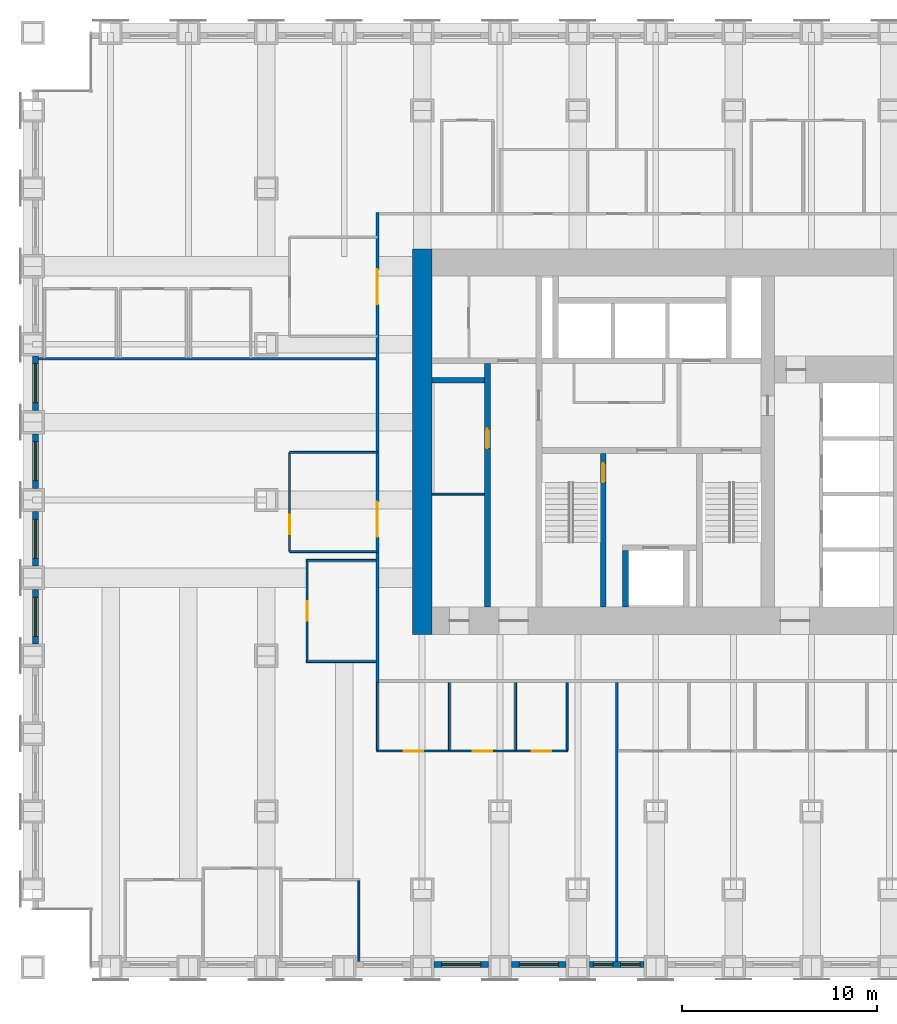
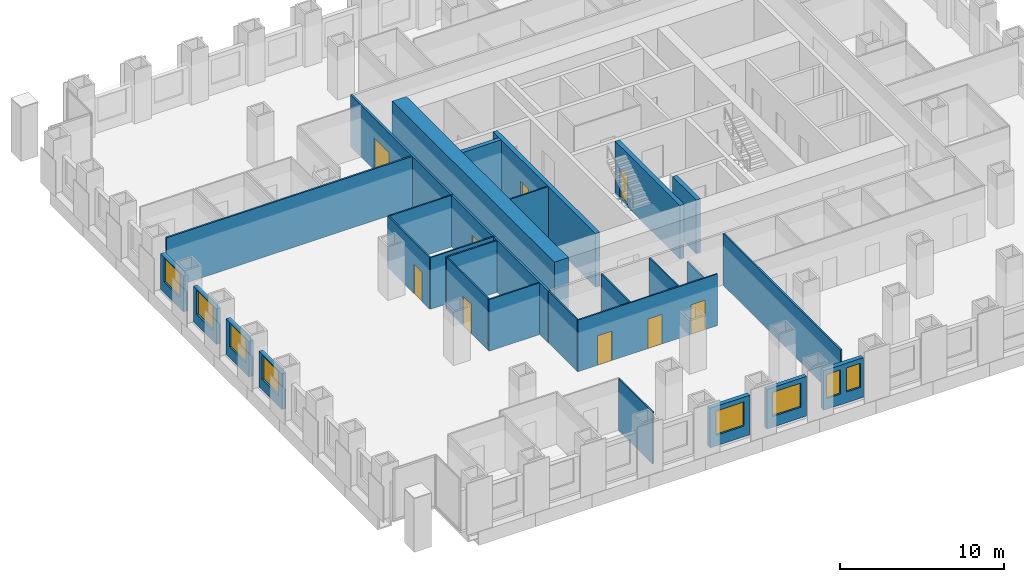
# One storey, part 8 of 15: 28 walls, 9 doors, 8 windows, 17 openings.
"""IFC4 building model written with IfcOpenShell, lengths in metres."""

from ifc_helpers import new_model, si_unit, direction, frame, frame_2d, origin, place, context, subcontext, project, spatial, rectangle, extrude, material, layer, layer_set, type_object, element, fill, save


model = new_model("IFC4")

# Units and contexts
model_context = context("Model", 3, precision=1e-05, world=origin(), true_north=direction((0.0, 1.0)))
body_context = subcontext(model_context, "Body", "Model", "MODEL_VIEW")
ifc_project = project(units=[si_unit("LENGTHUNIT", "METRE"), si_unit("AREAUNIT", "SQUARE_METRE"), si_unit("VOLUMEUNIT", "CUBIC_METRE"), si_unit("PLANEANGLEUNIT", "RADIAN"), si_unit("MASSUNIT", "GRAM", prefix="KILO")], contexts=[model_context])

# Site, building, storey
site_placement = place(None, origin())
site = spatial("IfcSite", under=ifc_project, at=site_placement, CompositionType="ELEMENT")
building_placement = place(site_placement, origin())
building = spatial("IfcBuilding", under=site, at=building_placement, Name="Rimbunsela Tower", CompositionType="ELEMENT")
storey_placement = place(building_placement, frame((0.0, 0.0, 67.0)))
storey = spatial("IfcBuildingStorey", under=building, at=storey_placement, Name="L16", CompositionType="ELEMENT", Elevation=67.0)

# Wall, opening, door
ifc_material_1 = material(Name="Concrete fc' 80 MPa", Category="concrete")
ifc_layer_1 = layer(ifc_material_1, 0.300048828125)
ifc_layer_set_1 = layer_set([ifc_layer_1], Name="Core internal wall 300")
wall_type_1 = type_object("IfcWallType", Name="Core internal wall 300", PredefinedType="SHEAR", material=ifc_layer_set_1)
wall_1_placement = place(storey_placement, frame((27.300048828125, 18.5, -0.14990234375), z_axis=(0.0, 0.0, 1.0), x_axis=(0.0, 1.0, 0.0)))
wall_1 = element("IfcWall", 1, at=wall_1_placement, inside=storey, type_object=wall_type_1, Name="Stair A enclosure", PredefinedType="SHEAR", context=body_context, shape_type="SweptSolid", body=[
    extrude(rectangle(XDim=7.89990234375, YDim=0.300048828125, at=frame_2d((3.949951171875, 0.0))), origin(), (0.0, 0.0, 1.0), 4.0),
])
opening_1_placement = place(wall_1_placement, frame((6.39990234375, 0.0, 0.14990234375)))
opening_1 = element("IfcOpeningElement", 2, at=opening_1_placement, cuts=wall_1, Name="Opening D01", PredefinedType="OPENING", context=body_context, shape_type="SweptSolid", body=[
    extrude(rectangle(XDim=1.0, YDim=2.199951171875, at=frame_2d((0.5, 1.10009765625))), frame((0.0, 0.159912109375, 0.0), z_axis=(0.0, -1.0, 0.0), x_axis=(1.0, 0.0, 0.0)), (0.0, 0.0, 1.0), 0.320068359375),
])
ifc_material_2 = material(Name="Steel door, fire rated", Category="steel")
door_type_1 = type_object("IfcDoorType", Name="Stair door 1000", OperationType="SINGLE_SWING_RIGHT", PredefinedType="DOOR", material=ifc_material_2)
door_1_placement = place(opening_1_placement, origin())
door_1 = element("IfcDoor", 3, at=door_1_placement, inside=storey, type_object=door_type_1, Name="Stair A door", OperationType="SINGLE_SWING_RIGHT", OverallHeight=2.199951171875, OverallWidth=1.0, PredefinedType="DOOR", context=body_context, shape_type="SweptSolid", body=[
    extrude(rectangle(XDim=1.0, YDim=2.199951171875, at=frame_2d((0.5, 1.10009765625))), frame((0.0, 0.02490234375, 0.0), z_axis=(0.0, -1.0, 0.0), x_axis=(1.0, 0.0, 0.0)), (0.0, 0.0, 1.0), 0.050048828125),
])
fill(opening_1, door_1)

# Wall
wall_2_placement = place(storey_placement, frame((28.449951171875, 18.5, -0.14990234375), z_axis=(0.0, 0.0, 1.0), x_axis=(0.0, 1.0, 0.0)))
element("IfcWall", 4, at=wall_2_placement, inside=storey, type_object=wall_type_1, Name="Firefighting lift shaft west", PredefinedType="SHEAR", context=body_context, shape_type="SweptSolid", body=[
    extrude(rectangle(XDim=2.89990234375, YDim=0.300048828125, at=frame_2d((1.449951171875, 0.0))), origin(), (0.0, 0.0, 1.0), 4.0),
])

# Wall, opening, door
wall_3_placement = place(storey_placement, frame((21.35009765625, 18.5, -0.14990234375), z_axis=(0.0, 0.0, 1.0), x_axis=(0.0, 1.0, 0.0)))
wall_3 = element("IfcWall", 5, at=wall_3_placement, inside=storey, type_object=wall_type_1, Name="Lift shaft front west", PredefinedType="SHEAR", context=body_context, shape_type="SweptSolid", body=[
    extrude(rectangle(XDim=12.5, YDim=0.300048828125, at=frame_2d((6.25, 0.0))), origin(), (0.0, 0.0, 1.0), 4.0),
])
opening_2_placement = place(wall_3_placement, frame((8.14990234375, 0.0, 0.14990234375)))
opening_2 = element("IfcOpeningElement", 6, at=opening_2_placement, cuts=wall_3, Name="Opening D19", PredefinedType="OPENING", context=body_context, shape_type="SweptSolid", body=[
    extrude(rectangle(XDim=1.0, YDim=2.199951171875, at=frame_2d((0.5, 1.10009765625))), frame((0.0, 0.159912109375, 0.0), z_axis=(0.0, -1.0, 0.0), x_axis=(1.0, 0.0, 0.0)), (0.0, 0.0, 1.0), 0.320068359375),
])
ifc_material_3 = material(Name="Steel door, fire rated", Category="steel")
door_type_2 = type_object("IfcDoorType", Name="Service door 1000 fire rated", OperationType="SINGLE_SWING_LEFT", PredefinedType="DOOR", material=ifc_material_3)
door_2_placement = place(opening_2_placement, origin())
door_2 = element("IfcDoor", 7, at=door_2_placement, inside=storey, type_object=door_type_2, Name="IT room door", OperationType="SINGLE_SWING_LEFT", OverallHeight=2.199951171875, OverallWidth=1.0, PredefinedType="DOOR", context=body_context, shape_type="SweptSolid", body=[
    extrude(rectangle(XDim=1.0, YDim=2.199951171875, at=frame_2d((0.5, 1.10009765625))), frame((0.0, 0.02490234375, 0.0), z_axis=(0.0, -1.0, 0.0), x_axis=(1.0, 0.0, 0.0)), (0.0, 0.0, 1.0), 0.050048828125),
])
fill(opening_2, door_2)

# Walls
wall_4_placement = place(storey_placement, frame((18.5, 30.14990234375, -0.14990234375), z_axis=(0.0, 0.0, 1.0), x_axis=(1.0, 0.0, 0.0)))
element("IfcWall", 8, at=wall_4_placement, inside=storey, type_object=wall_type_1, Name="Lift shaft rear west", PredefinedType="SHEAR", context=body_context, shape_type="SweptSolid", body=[
    extrude(rectangle(XDim=2.699951171875, YDim=0.300048828125, at=frame_2d((1.35009765625, 0.0))), origin(), (0.0, 0.0, 1.0), 4.0),
])
ifc_material_4 = material(Name="Concrete blockwork", Category="masonry")
ifc_layer_2 = layer(ifc_material_4, 0.10009765625)
ifc_layer_set_2 = layer_set([ifc_layer_2], Name="Core room partition 100")
wall_type_2 = type_object("IfcWallType", Name="Core room partition 100", PredefinedType="PARTITIONING", material=ifc_layer_set_2)
wall_5_placement = place(storey_placement, frame((18.5, 24.300048828125, 0.0), z_axis=(0.0, 0.0, 1.0), x_axis=(1.0, 0.0, 0.0)))
element("IfcWall", 9, at=wall_5_placement, inside=storey, type_object=wall_type_2, Name="IT room wall", PredefinedType="PARTITIONING", context=body_context, shape_type="SweptSolid", body=[
    extrude(rectangle(XDim=2.699951171875, YDim=0.10009765625, at=frame_2d((1.35009765625, 0.0))), origin(), (0.0, 0.0, 1.0), 3.85009765625),
])
ifc_material_5 = material(Name="Concrete fc' 80 MPa", Category="concrete")
ifc_layer_3 = layer(ifc_material_5, 1.0)
ifc_layer_set_3 = layer_set([ifc_layer_3], Name="Core wall 1000")
wall_type_3 = type_object("IfcWallType", Name="Core wall 1000", PredefinedType="SHEAR", material=ifc_layer_set_3)
wall_6_placement = place(storey_placement, frame((18.0, 17.10009765625, -0.14990234375), z_axis=(0.0, 0.0, 1.0), x_axis=(0.0, 1.0, 0.0)))
element("IfcWall", 10, at=wall_6_placement, inside=storey, type_object=wall_type_3, Name="Core wall west", PredefinedType="SHEAR", context=body_context, shape_type="SweptSolid", body=[
    extrude(rectangle(XDim=19.7998046875, YDim=1.0, at=frame_2d((9.89990234375, 0.0))), origin(), (0.0, 0.0, 1.0), 4.0),
])

# Wall, openings, doors
ifc_material_6 = material(Name="Gypsum board on steel studs", Category="steel")
ifc_layer_4 = layer(ifc_material_6, 0.10009765625)
ifc_layer_set_4 = layer_set([ifc_layer_4], Name="Office partition 100")
wall_type_4 = type_object("IfcWallType", Name="Office partition 100", PredefinedType="PARTITIONING", material=ifc_layer_set_4)
wall_7_placement = place(storey_placement, frame((15.64990234375, 11.10009765625, 0.0), z_axis=(0.0, 0.0, 1.0), x_axis=(1.0, 0.0, 0.0)))
wall_7 = element("IfcWall", 11, at=wall_7_placement, inside=storey, type_object=wall_type_4, Name="Office partition", PredefinedType="PARTITIONING", context=body_context, shape_type="SweptSolid", body=[
    extrude(rectangle(XDim=9.85009765625, YDim=0.10009765625, at=frame_2d((4.925048828125, 0.0))), origin(), (0.0, 0.0, 1.0), 3.85009765625),
])
opening_3_placement = place(wall_7_placement, frame((1.39990234375, 0.0, 0.0)))
opening_3 = element("IfcOpeningElement", 12, at=opening_3_placement, cuts=wall_7, Name="Opening D17", PredefinedType="OPENING", context=body_context, shape_type="SweptSolid", body=[
    extrude(rectangle(XDim=1.0, YDim=2.199951171875, at=frame_2d((0.5, 1.10009765625))), frame((0.0, 0.06005859375, 0.0), z_axis=(0.0, -1.0, 0.0), x_axis=(1.0, 0.0, 0.0)), (0.0, 0.0, 1.0), 0.1201171875),
])
opening_4_placement = place(wall_7_placement, frame((4.949951171875, 0.0, 0.0)))
opening_4 = element("IfcOpeningElement", 13, at=opening_4_placement, cuts=wall_7, Name="Opening D16", PredefinedType="OPENING", context=body_context, shape_type="SweptSolid", body=[
    extrude(rectangle(XDim=1.0, YDim=2.199951171875, at=frame_2d((0.5, 1.10009765625))), frame((0.0, 0.06005859375, 0.0), z_axis=(0.0, -1.0, 0.0), x_axis=(1.0, 0.0, 0.0)), (0.0, 0.0, 1.0), 0.1201171875),
])
opening_5_placement = place(wall_7_placement, frame((7.97509765625, 0.0, 0.0)))
opening_5 = element("IfcOpeningElement", 14, at=opening_5_placement, cuts=wall_7, Name="Opening D16", PredefinedType="OPENING", context=body_context, shape_type="SweptSolid", body=[
    extrude(rectangle(XDim=1.0, YDim=2.199951171875, at=frame_2d((0.5, 1.10009765625))), frame((0.0, 0.06005859375, 0.0), z_axis=(0.0, -1.0, 0.0), x_axis=(1.0, 0.0, 0.0)), (0.0, 0.0, 1.0), 0.1201171875),
])
ifc_material_7 = material(Name="Glazed aluminium door", Category="aluminium")
door_type_3 = type_object("IfcDoorType", Name="Meeting room door 1000 glazed", OperationType="SINGLE_SWING_RIGHT", PredefinedType="DOOR", material=ifc_material_7)
door_3_placement = place(opening_3_placement, origin())
door_3 = element("IfcDoor", 15, at=door_3_placement, inside=storey, type_object=door_type_3, Name="Meeting room door", OperationType="SINGLE_SWING_RIGHT", OverallHeight=2.199951171875, OverallWidth=1.0, PredefinedType="DOOR", context=body_context, shape_type="SweptSolid", body=[
    extrude(rectangle(XDim=1.0, YDim=2.199951171875, at=frame_2d((0.5, 1.10009765625))), frame((0.0, 0.02490234375, 0.0), z_axis=(0.0, -1.0, 0.0), x_axis=(1.0, 0.0, 0.0)), (0.0, 0.0, 1.0), 0.050048828125),
])
fill(opening_3, door_3)
ifc_material_8 = material(Name="Timber door", Category="wood")
door_type_4 = type_object("IfcDoorType", Name="Office door 1000", OperationType="SINGLE_SWING_LEFT", PredefinedType="DOOR", material=ifc_material_8)
door_4_placement = place(opening_4_placement, origin())
door_4 = element("IfcDoor", 16, at=door_4_placement, inside=storey, type_object=door_type_4, Name="Office door", OperationType="SINGLE_SWING_LEFT", OverallHeight=2.199951171875, OverallWidth=1.0, PredefinedType="DOOR", context=body_context, shape_type="SweptSolid", body=[
    extrude(rectangle(XDim=1.0, YDim=2.199951171875, at=frame_2d((0.5, 1.10009765625))), frame((0.0, 0.02490234375, 0.0), z_axis=(0.0, -1.0, 0.0), x_axis=(1.0, 0.0, 0.0)), (0.0, 0.0, 1.0), 0.050048828125),
])
fill(opening_4, door_4)
door_5_placement = place(opening_5_placement, origin())
door_5 = element("IfcDoor", 17, at=door_5_placement, inside=storey, type_object=door_type_4, Name="Office door", OperationType="SINGLE_SWING_LEFT", OverallHeight=2.199951171875, OverallWidth=1.0, PredefinedType="DOOR", context=body_context, shape_type="SweptSolid", body=[
    extrude(rectangle(XDim=1.0, YDim=2.199951171875, at=frame_2d((0.5, 1.10009765625))), frame((0.0, 0.02490234375, 0.0), z_axis=(0.0, -1.0, 0.0), x_axis=(1.0, 0.0, 0.0)), (0.0, 0.0, 1.0), 0.050048828125),
])
fill(opening_5, door_5)

# Walls
for number, where, z_axis, x_axis, name in (
    (18, (12.050048828125, 15.699951171875, 0.0), (0.0, 0.0, 1.0), (1.0, 0.0, 0.0), "Office partition"),
    (19, (12.050048828125, 20.89990234375, 0.0), (0.0, 0.0, 1.0), (1.0, 0.0, 0.0), "Office partition"),
):
    element("IfcWall", number, at=place(storey_placement, frame(where, z_axis=z_axis, x_axis=x_axis)), inside=storey, type_object=wall_type_4, Name=name, PredefinedType="PARTITIONING", context=body_context, shape_type="SweptSolid", body=[
        extrude(rectangle(XDim=3.574951171875, YDim=0.10009765625, at=frame_2d((1.78759765625, 0.0))), origin(), (0.0, 0.0, 1.0), 3.85009765625),
    ])

# Wall, opening, door
wall_8_placement = place(storey_placement, frame((12.10009765625, 15.75, 0.0), z_axis=(0.0, 0.0, 1.0), x_axis=(0.0, 1.0, 0.0)))
wall_8 = element("IfcWall", 20, at=wall_8_placement, inside=storey, type_object=wall_type_4, Name="Office partition", PredefinedType="PARTITIONING", context=body_context, shape_type="SweptSolid", body=[
    extrude(rectangle(XDim=5.10009765625, YDim=0.10009765625, at=frame_2d((2.550048828125, 0.0))), origin(), (0.0, 0.0, 1.0), 3.85009765625),
])
opening_6_placement = place(wall_8_placement, frame((2.050048828125, 0.0, 0.0)))
opening_6 = element("IfcOpeningElement", 21, at=opening_6_placement, cuts=wall_8, Name="Opening D16", PredefinedType="OPENING", context=body_context, shape_type="SweptSolid", body=[
    extrude(rectangle(XDim=1.0, YDim=2.199951171875, at=frame_2d((0.5, 1.10009765625))), frame((0.0, 0.06005859375, 0.0), z_axis=(0.0, -1.0, 0.0), x_axis=(1.0, 0.0, 0.0)), (0.0, 0.0, 1.0), 0.1201171875),
])
door_6_placement = place(opening_6_placement, origin())
door_6 = element("IfcDoor", 22, at=door_6_placement, inside=storey, type_object=door_type_4, Name="Office door", OperationType="SINGLE_SWING_LEFT", OverallHeight=2.199951171875, OverallWidth=1.0, PredefinedType="DOOR", context=body_context, shape_type="SweptSolid", body=[
    extrude(rectangle(XDim=1.0, YDim=2.199951171875, at=frame_2d((0.5, 1.10009765625))), frame((0.0, 0.02490234375, 0.0), z_axis=(0.0, -1.0, 0.0), x_axis=(1.0, 0.0, 0.0)), (0.0, 0.0, 1.0), 0.050048828125),
])
fill(opening_6, door_6)

# Walls
wall_9_placement = place(storey_placement, frame((14.75, 0.300048828125, 0.0), z_axis=(0.0, 0.0, 1.0), x_axis=(0.0, 1.0, 0.0)))
element("IfcWall", 23, at=wall_9_placement, inside=storey, type_object=wall_type_4, Name="Office partition", PredefinedType="PARTITIONING", context=body_context, shape_type="SweptSolid", body=[
    extrude(rectangle(XDim=4.14990234375, YDim=0.10009765625, at=frame_2d((2.074951171875, 0.0))), origin(), (0.0, 0.0, 1.0), 3.85009765625),
])
for number, where, z_axis, x_axis, name in (
    (24, (15.699951171875, 11.14990234375, 0.0), (0.0, 0.0, 1.0), (0.0, 1.0, 0.0), "Office partition"),
    (25, (19.39990234375, 11.14990234375, 0.0), (0.0, 0.0, 1.0), (0.0, 1.0, 0.0), "Office partition"),
    (26, (22.800048828125, 11.14990234375, 0.0), (0.0, 0.0, 1.0), (0.0, 1.0, 0.0), "Office partition"),
):
    element("IfcWall", number, at=place(storey_placement, frame(where, z_axis=z_axis, x_axis=x_axis)), inside=storey, type_object=wall_type_4, Name=name, PredefinedType="PARTITIONING", context=body_context, shape_type="SweptSolid", body=[
        extrude(rectangle(XDim=3.47509765625, YDim=0.10009765625, at=frame_2d((1.737548828125, 0.0))), origin(), (0.0, 0.0, 1.0), 3.85009765625),
    ])
wall_10_placement = place(storey_placement, frame((25.449951171875, 11.14990234375, 0.0), z_axis=(0.0, 0.0, 1.0), x_axis=(0.0, 1.0, 0.0)))
element("IfcWall", 27, at=wall_10_placement, inside=storey, type_object=wall_type_4, Name="Office partition", PredefinedType="PARTITIONING", context=body_context, shape_type="SweptSolid", body=[
    extrude(rectangle(XDim=3.47509765625, YDim=0.10009765625, at=frame_2d((1.737548828125, 0.0))), origin(), (0.0, 0.0, 1.0), 2.64990234375),
])
wall_11_placement = place(storey_placement, frame((15.699951171875, 26.449951171875, 0.0), z_axis=(0.0, 0.0, 1.0), x_axis=(-1.0, 0.0, 0.0)))
element("IfcWall", 28, at=wall_11_placement, inside=storey, type_object=wall_type_4, Name="Office partition", PredefinedType="PARTITIONING", context=body_context, shape_type="SweptSolid", body=[
    extrude(rectangle(XDim=4.5, YDim=0.10009765625, at=frame_2d((2.25, 0.0))), origin(), (0.0, 0.0, 1.0), 3.85009765625),
])

# Wall, opening, door
wall_12_placement = place(storey_placement, frame((11.199951171875, 26.449951171875, 0.0), z_axis=(0.0, 0.0, 1.0), x_axis=(0.0, -1.0, 0.0)))
wall_12 = element("IfcWall", 29, at=wall_12_placement, inside=storey, type_object=wall_type_4, Name="Office partition", PredefinedType="PARTITIONING", context=body_context, shape_type="SweptSolid", body=[
    extrude(rectangle(XDim=5.099853515625, YDim=0.10009765625, at=frame_2d((2.5498046875, 0.0))), origin(), (0.0, 0.0, 1.0), 3.85009765625),
])
opening_7_placement = place(wall_12_placement, frame((3.199951171875, 0.0, 0.0)))
opening_7 = element("IfcOpeningElement", 30, at=opening_7_placement, cuts=wall_12, Name="Opening D17", PredefinedType="OPENING", context=body_context, shape_type="SweptSolid", body=[
    extrude(rectangle(XDim=1.0, YDim=2.199951171875, at=frame_2d((0.5, 1.10009765625))), frame((0.0, 0.06005859375, 0.0), z_axis=(0.0, -1.0, 0.0), x_axis=(1.0, 0.0, 0.0)), (0.0, 0.0, 1.0), 0.1201171875),
])
door_7_placement = place(opening_7_placement, origin())
door_7 = element("IfcDoor", 31, at=door_7_placement, inside=storey, type_object=door_type_3, Name="Reception door", OperationType="SINGLE_SWING_RIGHT", OverallHeight=2.199951171875, OverallWidth=1.0, PredefinedType="DOOR", context=body_context, shape_type="SweptSolid", body=[
    extrude(rectangle(XDim=1.0, YDim=2.199951171875, at=frame_2d((0.5, 1.10009765625))), frame((0.0, 0.02490234375, 0.0), z_axis=(0.0, -1.0, 0.0), x_axis=(1.0, 0.0, 0.0)), (0.0, 0.0, 1.0), 0.050048828125),
])
fill(opening_7, door_7)

# Wall
wall_13_placement = place(storey_placement, frame((11.199951171875, 21.35009765625, 0.0), z_axis=(0.0, 0.0, 1.0), x_axis=(1.0, 0.0, 0.0)))
element("IfcWall", 32, at=wall_13_placement, inside=storey, type_object=wall_type_4, Name="Office partition", PredefinedType="PARTITIONING", context=body_context, shape_type="SweptSolid", body=[
    extrude(rectangle(XDim=4.5, YDim=0.10009765625, at=frame_2d((2.25, 0.0))), origin(), (0.0, 0.0, 1.0), 3.85009765625),
])

# Wall, opening, window
ifc_material_9 = material(Name="Precast concrete fc' 35 MPa", Category="concrete")
ifc_layer_5 = layer(ifc_material_9, 0.300048828125)
ifc_layer_set_5 = layer_set([ifc_layer_5], Name="Precast concrete fc' 35 MPa")
wall_type_5 = type_object("IfcWallType", Name="Precast facade panel 300", PredefinedType="ELEMENTEDWALL", material=ifc_layer_set_5)
wall_14_placement = place(storey_placement, frame((18.60009765625, 0.14990234375, 0.0), z_axis=(0.0, 0.0, 1.0), x_axis=(1.0, 0.0, 0.0)))
wall_14 = element("IfcWall", 33, at=wall_14_placement, inside=storey, type_object=wall_type_5, Name="Facade panel S L16", PredefinedType="ELEMENTEDWALL", context=body_context, shape_type="SweptSolid", body=[
    extrude(rectangle(XDim=2.7998046875, YDim=0.300048828125, at=frame_2d((1.39990234375, 0.0))), origin(), (0.0, 0.0, 1.0), 2.949951171875),
])
opening_8_placement = place(wall_14_placement, frame((0.39990234375, 0.0, 0.800048828125)))
opening_8 = element("IfcOpeningElement", 34, at=opening_8_placement, cuts=wall_14, Name="Opening W7", PredefinedType="OPENING", context=body_context, shape_type="SweptSolid", body=[
    extrude(rectangle(XDim=2.0, YDim=1.800048828125, at=frame_2d((1.0, 0.89990234375))), frame((0.0, 0.159912109375, 0.0), z_axis=(0.0, -1.0, 0.0), x_axis=(1.0, 0.0, 0.0)), (0.0, 0.0, 1.0), 0.320068359375),
])
ifc_material_10 = material(Name="Clear glass in aluminium frame", Category="aluminium")
window_type_1 = type_object("IfcWindowType", Name="Window W7 2000x1800", PartitioningType="DOUBLE_PANEL_VERTICAL", PredefinedType="WINDOW", material=ifc_material_10)
window_1_placement = place(opening_8_placement, origin())
window_1 = element("IfcWindow", 35, at=window_1_placement, inside=storey, type_object=window_type_1, Name="Window L16", OverallHeight=1.800048828125, OverallWidth=2.0, PartitioningType="SINGLE_PANEL", PredefinedType="WINDOW", context=body_context, shape_type="SweptSolid", body=[
    extrude(rectangle(XDim=2.0, YDim=1.800048828125, at=frame_2d((1.0, 0.89990234375))), frame((0.0, 0.030029296875, 0.0), z_axis=(0.0, -1.0, 0.0), x_axis=(1.0, 0.0, 0.0)), (0.0, 0.0, 1.0), 0.06005859375),
])
fill(opening_8, window_1)

wall_15_placement = place(storey_placement, frame((22.60009765625, 0.14990234375, 0.0), z_axis=(0.0, 0.0, 1.0), x_axis=(1.0, 0.0, 0.0)))
wall_15 = element("IfcWall", 36, at=wall_15_placement, inside=storey, type_object=wall_type_5, Name="Facade panel S L16", PredefinedType="ELEMENTEDWALL", context=body_context, shape_type="SweptSolid", body=[
    extrude(rectangle(XDim=2.7998046875, YDim=0.300048828125, at=frame_2d((1.39990234375, 0.0))), origin(), (0.0, 0.0, 1.0), 2.949951171875),
])
opening_9_placement = place(wall_15_placement, frame((0.39990234375, 0.0, 0.800048828125)))
opening_9 = element("IfcOpeningElement", 37, at=opening_9_placement, cuts=wall_15, Name="Opening W7", PredefinedType="OPENING", context=body_context, shape_type="SweptSolid", body=[
    extrude(rectangle(XDim=2.0, YDim=1.800048828125, at=frame_2d((1.0, 0.89990234375))), frame((0.0, 0.159912109375, 0.0), z_axis=(0.0, -1.0, 0.0), x_axis=(1.0, 0.0, 0.0)), (0.0, 0.0, 1.0), 0.320068359375),
])
window_2_placement = place(opening_9_placement, origin())
window_2 = element("IfcWindow", 38, at=window_2_placement, inside=storey, type_object=window_type_1, Name="Window L16", OverallHeight=1.800048828125, OverallWidth=2.0, PartitioningType="SINGLE_PANEL", PredefinedType="WINDOW", context=body_context, shape_type="SweptSolid", body=[
    extrude(rectangle(XDim=2.0, YDim=1.800048828125, at=frame_2d((1.0, 0.89990234375))), frame((0.0, 0.030029296875, 0.0), z_axis=(0.0, -1.0, 0.0), x_axis=(1.0, 0.0, 0.0)), (0.0, 0.0, 1.0), 0.06005859375),
])
fill(opening_9, window_2)

# Wall, openings, windows
wall_16_placement = place(storey_placement, frame((26.60009765625, 0.14990234375, 0.0), z_axis=(0.0, 0.0, 1.0), x_axis=(1.0, 0.0, 0.0)))
wall_16 = element("IfcWall", 39, at=wall_16_placement, inside=storey, type_object=wall_type_5, Name="Facade panel S L16", PredefinedType="ELEMENTEDWALL", context=body_context, shape_type="SweptSolid", body=[
    extrude(rectangle(XDim=2.7998046875, YDim=0.300048828125, at=frame_2d((1.39990234375, 0.0))), origin(), (0.0, 0.0, 1.0), 2.949951171875),
])
opening_10_placement = place(wall_16_placement, frame((0.199951171875, 0.0, 0.800048828125)))
opening_10 = element("IfcOpeningElement", 40, at=opening_10_placement, cuts=wall_16, Name="Opening W8", PredefinedType="OPENING", context=body_context, shape_type="SweptSolid", body=[
    extrude(rectangle(XDim=1.0, YDim=1.800048828125, at=frame_2d((0.5, 0.89990234375))), frame((0.0, 0.159912109375, 0.0), z_axis=(0.0, -1.0, 0.0), x_axis=(1.0, 0.0, 0.0)), (0.0, 0.0, 1.0), 0.320068359375),
])
opening_11_placement = place(wall_16_placement, frame((1.60009765625, 0.0, 0.800048828125)))
opening_11 = element("IfcOpeningElement", 41, at=opening_11_placement, cuts=wall_16, Name="Opening W8", PredefinedType="OPENING", context=body_context, shape_type="SweptSolid", body=[
    extrude(rectangle(XDim=1.0, YDim=1.800048828125, at=frame_2d((0.5, 0.89990234375))), frame((0.0, 0.159912109375, 0.0), z_axis=(0.0, -1.0, 0.0), x_axis=(1.0, 0.0, 0.0)), (0.0, 0.0, 1.0), 0.320068359375),
])
ifc_material_11 = material(Name="Clear glass in aluminium frame", Category="aluminium")
window_type_2 = type_object("IfcWindowType", Name="Window W8 1000x1800", PartitioningType="SINGLE_PANEL", PredefinedType="WINDOW", material=ifc_material_11)
window_3_placement = place(opening_10_placement, origin())
window_3 = element("IfcWindow", 42, at=window_3_placement, inside=storey, type_object=window_type_2, Name="Window L16", OverallHeight=1.800048828125, OverallWidth=1.0, PartitioningType="SINGLE_PANEL", PredefinedType="WINDOW", context=body_context, shape_type="SweptSolid", body=[
    extrude(rectangle(XDim=1.0, YDim=1.800048828125, at=frame_2d((0.5, 0.89990234375))), frame((0.0, 0.030029296875, 0.0), z_axis=(0.0, -1.0, 0.0), x_axis=(1.0, 0.0, 0.0)), (0.0, 0.0, 1.0), 0.06005859375),
])
fill(opening_10, window_3)
window_4_placement = place(opening_11_placement, origin())
window_4 = element("IfcWindow", 43, at=window_4_placement, inside=storey, type_object=window_type_2, Name="Window L16", OverallHeight=1.800048828125, OverallWidth=1.0, PartitioningType="SINGLE_PANEL", PredefinedType="WINDOW", context=body_context, shape_type="SweptSolid", body=[
    extrude(rectangle(XDim=1.0, YDim=1.800048828125, at=frame_2d((0.5, 0.89990234375))), frame((0.0, 0.030029296875, 0.0), z_axis=(0.0, -1.0, 0.0), x_axis=(1.0, 0.0, 0.0)), (0.0, 0.0, 1.0), 0.06005859375),
])
fill(opening_11, window_4)

# Wall, opening, window
wall_17_placement = place(storey_placement, frame((-1.85009765625, 19.39990234375, 0.0), z_axis=(0.0, 0.0, 1.0), x_axis=(0.0, -1.0, 0.0)))
wall_17 = element("IfcWall", 44, at=wall_17_placement, inside=storey, type_object=wall_type_5, Name="Facade panel W L16", PredefinedType="ELEMENTEDWALL", context=body_context, shape_type="SweptSolid", body=[
    extrude(rectangle(XDim=2.7998046875, YDim=0.300048828125, at=frame_2d((1.39990234375, 0.0))), origin(), (0.0, 0.0, 1.0), 2.64990234375),
])
opening_12_placement = place(wall_17_placement, frame((0.39990234375, 0.0, 0.800048828125)))
opening_12 = element("IfcOpeningElement", 45, at=opening_12_placement, cuts=wall_17, Name="Opening W7", PredefinedType="OPENING", context=body_context, shape_type="SweptSolid", body=[
    extrude(rectangle(XDim=2.0, YDim=1.800048828125, at=frame_2d((1.0, 0.89990234375))), frame((0.0, 0.159912109375, 0.0), z_axis=(0.0, -1.0, 0.0), x_axis=(1.0, 0.0, 0.0)), (0.0, 0.0, 1.0), 0.320068359375),
])
window_5_placement = place(opening_12_placement, origin())
window_5 = element("IfcWindow", 46, at=window_5_placement, inside=storey, type_object=window_type_1, Name="Window L16", OverallHeight=1.800048828125, OverallWidth=2.0, PartitioningType="SINGLE_PANEL", PredefinedType="WINDOW", context=body_context, shape_type="SweptSolid", body=[
    extrude(rectangle(XDim=2.0, YDim=1.800048828125, at=frame_2d((1.0, 0.89990234375))), frame((0.0, 0.030029296875, 0.0), z_axis=(0.0, -1.0, 0.0), x_axis=(1.0, 0.0, 0.0)), (0.0, 0.0, 1.0), 0.06005859375),
])
fill(opening_12, window_5)

wall_18_placement = place(storey_placement, frame((-1.85009765625, 23.39990234375, 0.0), z_axis=(0.0, 0.0, 1.0), x_axis=(0.0, -1.0, 0.0)))
wall_18 = element("IfcWall", 47, at=wall_18_placement, inside=storey, type_object=wall_type_5, Name="Facade panel W L16", PredefinedType="ELEMENTEDWALL", context=body_context, shape_type="SweptSolid", body=[
    extrude(rectangle(XDim=2.7998046875, YDim=0.300048828125, at=frame_2d((1.39990234375, 0.0))), origin(), (0.0, 0.0, 1.0), 2.64990234375),
])
opening_13_placement = place(wall_18_placement, frame((0.39990234375, 0.0, 0.800048828125)))
opening_13 = element("IfcOpeningElement", 48, at=opening_13_placement, cuts=wall_18, Name="Opening W7", PredefinedType="OPENING", context=body_context, shape_type="SweptSolid", body=[
    extrude(rectangle(XDim=2.0, YDim=1.800048828125, at=frame_2d((1.0, 0.89990234375))), frame((0.0, 0.159912109375, 0.0), z_axis=(0.0, -1.0, 0.0), x_axis=(1.0, 0.0, 0.0)), (0.0, 0.0, 1.0), 0.320068359375),
])
window_6_placement = place(opening_13_placement, origin())
window_6 = element("IfcWindow", 49, at=window_6_placement, inside=storey, type_object=window_type_1, Name="Window L16", OverallHeight=1.800048828125, OverallWidth=2.0, PartitioningType="SINGLE_PANEL", PredefinedType="WINDOW", context=body_context, shape_type="SweptSolid", body=[
    extrude(rectangle(XDim=2.0, YDim=1.800048828125, at=frame_2d((1.0, 0.89990234375))), frame((0.0, 0.030029296875, 0.0), z_axis=(0.0, -1.0, 0.0), x_axis=(1.0, 0.0, 0.0)), (0.0, 0.0, 1.0), 0.06005859375),
])
fill(opening_13, window_6)

wall_19_placement = place(storey_placement, frame((-1.85009765625, 27.39990234375, 0.0), z_axis=(0.0, 0.0, 1.0), x_axis=(0.0, -1.0, 0.0)))
wall_19 = element("IfcWall", 50, at=wall_19_placement, inside=storey, type_object=wall_type_5, Name="Facade panel W L16", PredefinedType="ELEMENTEDWALL", context=body_context, shape_type="SweptSolid", body=[
    extrude(rectangle(XDim=2.7998046875, YDim=0.300048828125, at=frame_2d((1.39990234375, 0.0))), origin(), (0.0, 0.0, 1.0), 2.64990234375),
])
opening_14_placement = place(wall_19_placement, frame((0.39990234375, 0.0, 0.800048828125)))
opening_14 = element("IfcOpeningElement", 51, at=opening_14_placement, cuts=wall_19, Name="Opening W7", PredefinedType="OPENING", context=body_context, shape_type="SweptSolid", body=[
    extrude(rectangle(XDim=2.0, YDim=1.800048828125, at=frame_2d((1.0, 0.89990234375))), frame((0.0, 0.159912109375, 0.0), z_axis=(0.0, -1.0, 0.0), x_axis=(1.0, 0.0, 0.0)), (0.0, 0.0, 1.0), 0.320068359375),
])
window_7_placement = place(opening_14_placement, origin())
window_7 = element("IfcWindow", 52, at=window_7_placement, inside=storey, type_object=window_type_1, Name="Window L16", OverallHeight=1.800048828125, OverallWidth=2.0, PartitioningType="SINGLE_PANEL", PredefinedType="WINDOW", context=body_context, shape_type="SweptSolid", body=[
    extrude(rectangle(XDim=2.0, YDim=1.800048828125, at=frame_2d((1.0, 0.89990234375))), frame((0.0, 0.030029296875, 0.0), z_axis=(0.0, -1.0, 0.0), x_axis=(1.0, 0.0, 0.0)), (0.0, 0.0, 1.0), 0.06005859375),
])
fill(opening_14, window_7)

wall_20_placement = place(storey_placement, frame((-1.85009765625, 31.39990234375, 0.0), z_axis=(0.0, 0.0, 1.0), x_axis=(0.0, -1.0, 0.0)))
wall_20 = element("IfcWall", 53, at=wall_20_placement, inside=storey, type_object=wall_type_5, Name="Facade panel W L16", PredefinedType="ELEMENTEDWALL", context=body_context, shape_type="SweptSolid", body=[
    extrude(rectangle(XDim=2.7998046875, YDim=0.300048828125, at=frame_2d((1.39990234375, 0.0))), origin(), (0.0, 0.0, 1.0), 2.64990234375),
])
opening_15_placement = place(wall_20_placement, frame((0.39990234375, 0.0, 0.800048828125)))
opening_15 = element("IfcOpeningElement", 54, at=opening_15_placement, cuts=wall_20, Name="Opening W7", PredefinedType="OPENING", context=body_context, shape_type="SweptSolid", body=[
    extrude(rectangle(XDim=2.0, YDim=1.800048828125, at=frame_2d((1.0, 0.89990234375))), frame((0.0, 0.159912109375, 0.0), z_axis=(0.0, -1.0, 0.0), x_axis=(1.0, 0.0, 0.0)), (0.0, 0.0, 1.0), 0.320068359375),
])
window_8_placement = place(opening_15_placement, origin())
window_8 = element("IfcWindow", 55, at=window_8_placement, inside=storey, type_object=window_type_1, Name="Window L16", OverallHeight=1.800048828125, OverallWidth=2.0, PartitioningType="SINGLE_PANEL", PredefinedType="WINDOW", context=body_context, shape_type="SweptSolid", body=[
    extrude(rectangle(XDim=2.0, YDim=1.800048828125, at=frame_2d((1.0, 0.89990234375))), frame((0.0, 0.030029296875, 0.0), z_axis=(0.0, -1.0, 0.0), x_axis=(1.0, 0.0, 0.0)), (0.0, 0.0, 1.0), 0.06005859375),
])
fill(opening_15, window_8)

# Wall, openings, doors
ifc_material_12 = material(Name="Fire-rated gypsum board on steel studs, EI 60", Category="steel")
ifc_layer_6 = layer(ifc_material_12, 0.14990234375)
ifc_layer_set_6 = layer_set([ifc_layer_6], Name="Rated corridor wall 150")
wall_type_6 = type_object("IfcWallType", Name="Rated corridor wall 150", PredefinedType="PARTITIONING", material=ifc_layer_set_6)
wall_21_placement = place(storey_placement, frame((15.699951171875, 14.625, 0.0), z_axis=(0.0, 0.0, 1.0), x_axis=(0.0, 1.0, 0.0)))
wall_21 = element("IfcWall", 56, at=wall_21_placement, inside=storey, type_object=wall_type_6, Name="Corridor wall west", PredefinedType="PARTITIONING", context=body_context, shape_type="SweptSolid", body=[
    extrude(rectangle(XDim=24.14990234375, YDim=0.14990234375, at=frame_2d((12.074951171875, 0.0))), origin(), (0.0, 0.0, 1.0), 3.85009765625),
])
opening_16_placement = place(wall_21_placement, frame((7.47509765625, 0.0, 0.0)))
opening_16 = element("IfcOpeningElement", 57, at=opening_16_placement, cuts=wall_21, Name="Opening D09", PredefinedType="OPENING", context=body_context, shape_type="SweptSolid", body=[
    extrude(rectangle(XDim=1.800048828125, YDim=2.39990234375, at=frame_2d((0.89990234375, 1.199951171875))), frame((0.0, 0.0849609375, 0.0), z_axis=(0.0, -1.0, 0.0), x_axis=(1.0, 0.0, 0.0)), (0.0, 0.0, 1.0), 0.169921875),
])
opening_17_placement = place(wall_21_placement, frame((19.425048828125, 0.0, 0.0)))
opening_17 = element("IfcOpeningElement", 58, at=opening_17_placement, cuts=wall_21, Name="Opening D09", PredefinedType="OPENING", context=body_context, shape_type="SweptSolid", body=[
    extrude(rectangle(XDim=1.800048828125, YDim=2.39990234375, at=frame_2d((0.89990234375, 1.199951171875))), frame((0.0, 0.0849609375, 0.0), z_axis=(0.0, -1.0, 0.0), x_axis=(1.0, 0.0, 0.0)), (0.0, 0.0, 1.0), 0.169921875),
])
ifc_material_13 = material(Name="Glazed aluminium door, fire rated", Category="aluminium")
door_type_5 = type_object("IfcDoorType", Name="Tenancy door 1800 glazed", OperationType="DOUBLE_DOOR_DOUBLE_SWING", PredefinedType="DOOR", material=ifc_material_13)
door_8_placement = place(opening_16_placement, origin())
door_8 = element("IfcDoor", 59, at=door_8_placement, inside=storey, type_object=door_type_5, Name="Tenancy door", OperationType="DOUBLE_DOOR_DOUBLE_SWING", OverallHeight=2.39990234375, OverallWidth=1.800048828125, PredefinedType="DOOR", context=body_context, shape_type="SweptSolid", body=[
    extrude(rectangle(XDim=1.800048828125, YDim=2.39990234375, at=frame_2d((0.89990234375, 1.199951171875))), frame((0.0, 0.02490234375, 0.0), z_axis=(0.0, -1.0, 0.0), x_axis=(1.0, 0.0, 0.0)), (0.0, 0.0, 1.0), 0.050048828125),
])
fill(opening_16, door_8)
door_9_placement = place(opening_17_placement, origin())
door_9 = element("IfcDoor", 60, at=door_9_placement, inside=storey, type_object=door_type_5, Name="Tenancy door", OperationType="DOUBLE_DOOR_DOUBLE_SWING", OverallHeight=2.39990234375, OverallWidth=1.800048828125, PredefinedType="DOOR", context=body_context, shape_type="SweptSolid", body=[
    extrude(rectangle(XDim=1.800048828125, YDim=2.39990234375, at=frame_2d((0.89990234375, 1.199951171875))), frame((0.0, 0.02490234375, 0.0), z_axis=(0.0, -1.0, 0.0), x_axis=(1.0, 0.0, 0.0)), (0.0, 0.0, 1.0), 0.050048828125),
])
fill(opening_17, door_9)

# Walls
ifc_material_14 = material(Name="Gypsum board on steel studs", Category="steel")
ifc_layer_7 = layer(ifc_material_14, 0.1201171875)
ifc_layer_set_7 = layer_set([ifc_layer_7], Name="Tenancy partition 120")
wall_type_7 = type_object("IfcWallType", Name="Tenancy partition 120", PredefinedType="PARTITIONING", material=ifc_layer_set_7)
wall_22_placement = place(storey_placement, frame((28.0, 0.300048828125, 0.0), z_axis=(0.0, 0.0, 1.0), x_axis=(0.0, 1.0, 0.0)))
element("IfcWall", 61, at=wall_22_placement, inside=storey, type_object=wall_type_7, Name="Tenancy partition south", PredefinedType="PARTITIONING", context=body_context, shape_type="SweptSolid", body=[
    extrude(rectangle(XDim=14.324951171875, YDim=0.1201171875, at=frame_2d((7.16259765625, 0.0))), origin(), (0.0, 0.0, 1.0), 3.85009765625),
])
wall_23_placement = place(storey_placement, frame((-1.699951171875, 31.25, 0.0), z_axis=(0.0, 0.0, 1.0), x_axis=(1.0, 0.0, 0.0)))
element("IfcWall", 62, at=wall_23_placement, inside=storey, type_object=wall_type_7, Name="Tenancy partition", PredefinedType="PARTITIONING", context=body_context, shape_type="SweptSolid", body=[
    extrude(rectangle(XDim=17.324951171875, YDim=0.1201171875, at=frame_2d((8.66259765625, 0.0))), origin(), (0.0, 0.0, 1.0), 3.85009765625),
])

save(model, "model.ifc")
